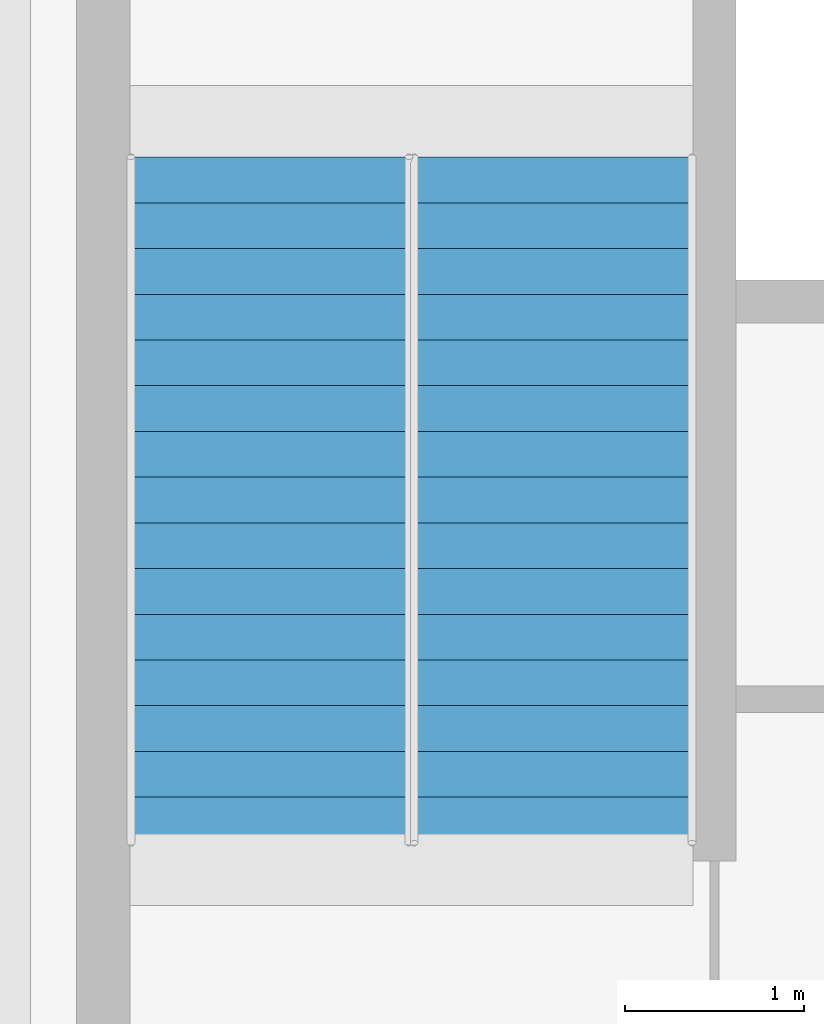
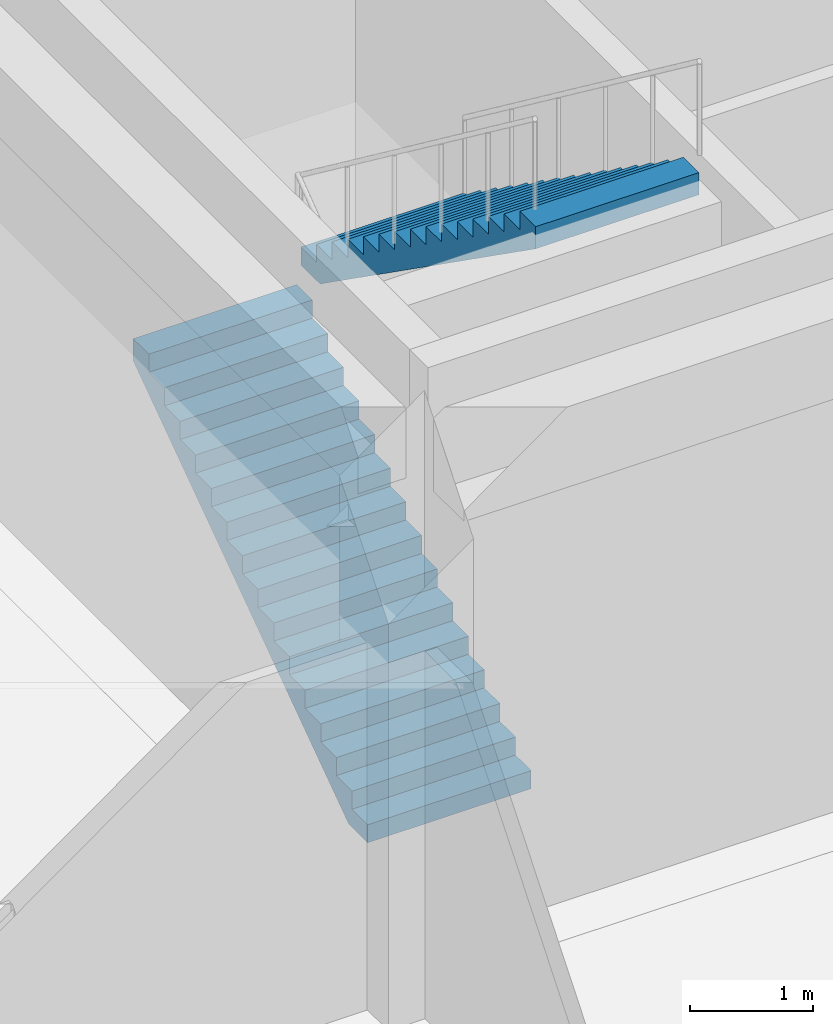
# One storey, part 84 of 91: 2 stair flights, 1 element without a shape of its own.
"""IFC4 building model written with IfcOpenShell, lengths in metres."""

from ifc_helpers import new_model, si_unit, direction, frame, origin, place, context, subcontext, project, spatial, polyline, outline, extrude, material, layer, layer_set, type_object, element, aggregate, save


model = new_model("IFC4")

# Units and contexts
model_context = context("Model", 3, precision=1e-05, world=origin(), true_north=direction((0.0, 1.0)))
body_context = subcontext(model_context, "Body", "Model", "MODEL_VIEW")
ifc_project = project(units=[si_unit("LENGTHUNIT", "METRE"), si_unit("AREAUNIT", "SQUARE_METRE"), si_unit("VOLUMEUNIT", "CUBIC_METRE"), si_unit("PLANEANGLEUNIT", "RADIAN"), si_unit("MASSUNIT", "GRAM", prefix="KILO")], contexts=[model_context])

# Site, building, storey
site_placement = place(None, origin())
site = spatial("IfcSite", under=ifc_project, at=site_placement, CompositionType="ELEMENT")
building_placement = place(site_placement, origin())
building = spatial("IfcBuilding", under=site, at=building_placement, Name="Porcellanite Civic Hall", CompositionType="ELEMENT")
storey_placement = place(building_placement, origin())
storey = spatial("IfcBuildingStorey", under=building, at=storey_placement, Name="L00", CompositionType="ELEMENT", Elevation=0.0)

# Stair, stair flights
ifc_material_1 = material(Name="Concrete N40 (40 MPa)", Category="concrete")
stair_type = type_object("IfcStairType", Name="STR-HT32", PredefinedType="HALF_TURN_STAIR", material=ifc_material_1)
stair_placement = place(storey_placement, origin())
stair = element("IfcStair", 1, at=stair_placement, inside=storey, type_object=stair_type, Name="Fire stair ST-08 L00", PredefinedType="HALF_TURN_STAIR")
ifc_material_2 = material(Name="Concrete N40 (40 MPa)", Category="concrete")
ifc_layer = layer(ifc_material_2, 0.179931640625)
ifc_layer_set = layer_set([ifc_layer], Name="Concrete N40 (40 MPa)")
stair_flight_type = type_object("IfcStairFlightType", Name="FLT-154A", PredefinedType="STRAIGHT", material=ifc_layer_set)
stair_flight_1_placement = place(storey_placement, frame((161.159912109375, 52.39990234375, 0.0), z_axis=(0.0, 0.0, 1.0), x_axis=(0.0, 1.0, 0.0)))
stair_flight_1 = element("IfcStairFlight", 2, at=stair_flight_1_placement, type_object=stair_flight_type, Name="ST-08 flight 1", NumberOfRisers=16, NumberOfTreads=15, PredefinedType="STRAIGHT", RiserHeight=0.18, TreadLength=0.255, context=body_context, shape_type="SweptSolid", body=[
    extrude(outline(polyline([(0.0, 0.0), (0.0, 0.179931640625), (0.2548828125, 0.179931640625), (0.2548828125, 0.360107421875), (0.510009765625, 0.360107421875), (0.510009765625, 0.5400390625), (0.764892578125, 0.5400390625), (0.764892578125, 0.719970703125), (1.02001953125, 0.719970703125), (1.02001953125, 0.89990234375), (1.27490234375, 0.89990234375), (1.27490234375, 1.080078125), (1.530029296875, 1.080078125), (1.530029296875, 1.260009765625), (1.784912109375, 1.260009765625), (1.784912109375, 1.43994140625), (2.0400390625, 1.43994140625), (2.0400390625, 1.6201171875), (2.294921875, 1.6201171875), (2.294921875, 1.800048828125), (2.550048828125, 1.800048828125), (2.550048828125, 1.97998046875), (2.804931640625, 1.97998046875), (2.804931640625, 2.159912109375), (3.06005859375, 2.159912109375), (3.06005859375, 2.340087890625), (3.31494140625, 2.340087890625), (3.31494140625, 2.52001953125), (3.570068359375, 2.52001953125), (3.570068359375, 2.699951171875), (3.824951171875, 2.699951171875), (3.824951171875, 2.8798828125), (3.824951171875, 2.479736328125), (0.31201171875, 0.0), (0.0, 0.0)])), frame((0.0, 0.77001953125, 0.0), z_axis=(0.0, -1.0, 0.0), x_axis=(1.0, 0.0, 0.0)), (0.0, 0.0, 1.0), 1.5400390625),
])
stair_flight_2_placement = place(storey_placement, frame((162.739990234375, 56.22509765625, 2.8798828125), z_axis=(0.0, 0.0, 1.0), x_axis=(0.0, -1.0, 0.0)))
stair_flight_2 = element("IfcStairFlight", 3, at=stair_flight_2_placement, type_object=stair_flight_type, Name="ST-08 flight 2", NumberOfRisers=16, NumberOfTreads=15, PredefinedType="STRAIGHT", RiserHeight=0.18, TreadLength=0.255, context=body_context, shape_type="SweptSolid", body=[
    extrude(outline(polyline([(0.0, 0.0), (0.0, 0.179931640625), (0.2548828125, 0.179931640625), (0.2548828125, 0.360107421875), (0.510009765625, 0.360107421875), (0.510009765625, 0.5400390625), (0.764892578125, 0.5400390625), (0.764892578125, 0.719970703125), (1.02001953125, 0.719970703125), (1.02001953125, 0.89990234375), (1.27490234375, 0.89990234375), (1.27490234375, 1.080078125), (1.530029296875, 1.080078125), (1.530029296875, 1.260009765625), (1.784912109375, 1.260009765625), (1.784912109375, 1.43994140625), (2.0400390625, 1.43994140625), (2.0400390625, 1.6201171875), (2.294921875, 1.6201171875), (2.294921875, 1.800048828125), (2.550048828125, 1.800048828125), (2.550048828125, 1.97998046875), (2.804931640625, 1.97998046875), (2.804931640625, 2.159912109375), (3.06005859375, 2.159912109375), (3.06005859375, 2.340087890625), (3.31494140625, 2.340087890625), (3.31494140625, 2.52001953125), (3.570068359375, 2.52001953125), (3.570068359375, 2.699951171875), (3.824951171875, 2.699951171875), (3.824951171875, 2.8798828125), (3.824951171875, 2.479736328125), (0.31201171875, 0.0), (0.0, 0.0)])), frame((0.0, 0.77001953125, 0.0), z_axis=(0.0, -1.0, 0.0), x_axis=(1.0, 0.0, 0.0)), (0.0, 0.0, 1.0), 1.5400390625),
])
aggregate(stair, [stair_flight_1, stair_flight_2])

save(model, "model.ifc")
